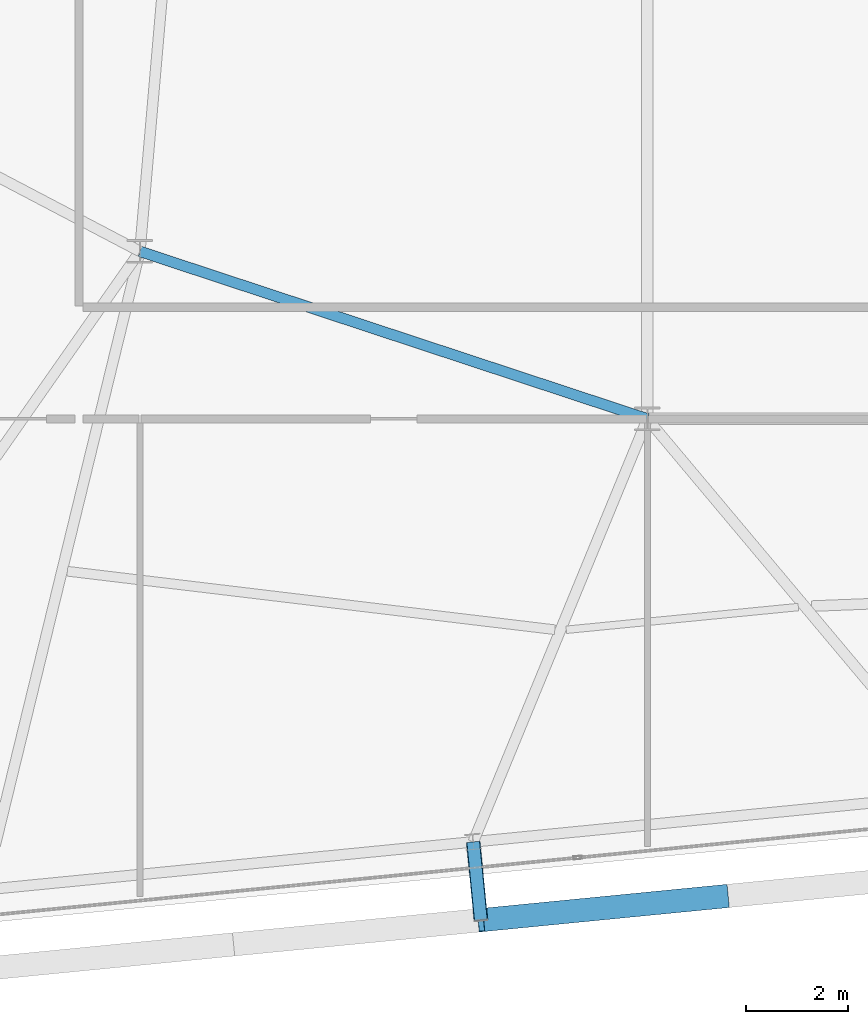
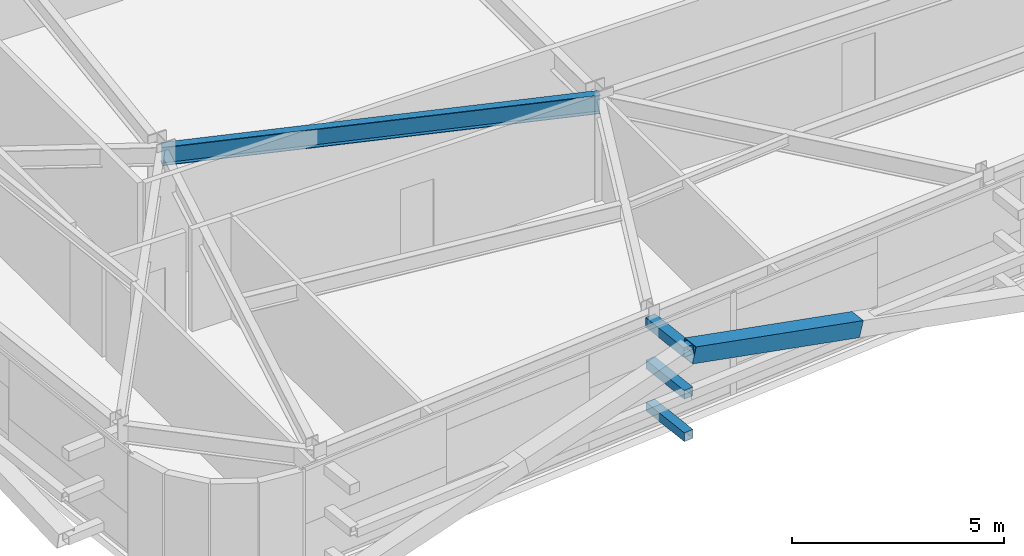
# One storey, part 8 of 47: 4 members, 1 beam.
"""IFC4 building model written with IfcOpenShell, lengths in metres."""

from ifc_helpers import new_model, si_unit, direction, frame, origin, origin_2d, place, context, subcontext, project, spatial, hollow_rectangle, i_section, extrude, source, transform, mapped, material, material_profile, profile_set, type_object, element, save


model = new_model("IFC4")

# Units and contexts
model_context = context("Model", 3, precision=1e-05, world=origin(), true_north=direction((0.0, 1.0)))
body_context = subcontext(model_context, "Body", "Model", "MODEL_VIEW")
ifc_project = project(units=[si_unit("LENGTHUNIT", "METRE"), si_unit("AREAUNIT", "SQUARE_METRE"), si_unit("VOLUMEUNIT", "CUBIC_METRE"), si_unit("PLANEANGLEUNIT", "RADIAN"), si_unit("MASSUNIT", "GRAM", prefix="KILO")], contexts=[model_context])

# Site, building, storey
site_placement = place(None, origin())
site = spatial("IfcSite", under=ifc_project, at=site_placement, CompositionType="ELEMENT")
building_placement = place(site_placement, origin())
building = spatial("IfcBuilding", under=site, at=building_placement, Name="Taldren Reach Tower", CompositionType="ELEMENT")
storey_placement = place(building_placement, frame((0.0, 0.0, 106.050048828125)))
storey = spatial("IfcBuildingStorey", under=building, at=storey_placement, Name="L32", CompositionType="ELEMENT", Elevation=106.050048828125)

# Beam
ifc_material_1 = material(Name="Steel Gr 350 (350PLUS)", Category="steel")
ifc_material_profile_1 = material_profile(ifc_material_1, i_section(OverallWidth=0.208984375, OverallDepth=0.532958984375, WebThickness=0.01025390625, FlangeThickness=0.015625, at=origin_2d()), Name="530UB92.4")
ifc_profile_set_1 = profile_set([ifc_material_profile_1], Name="Steel Gr 350 (350PLUS)")
beam_type = type_object("IfcBeamType", Name="BM-UB530A", PredefinedType="BEAM", material=ifc_profile_set_1)
shared_shape_1 = source(origin(), body_context, "Body", "SweptSolid", [
    extrude(i_section(OverallWidth=0.208984375, OverallDepth=0.532958984375, WebThickness=0.01025390625, FlangeThickness=0.015625, at=origin_2d()), origin(), (0.0, 0.0, 1.0), 10.530517578125),
])
beam_placement = place(storey_placement, frame((18.0, 12.5, 2.663330078125), z_axis=(0.949627269203, -0.313381635689, 0.0), x_axis=(0.313381635689, 0.949627269203, 0.0)))
element("IfcBeam", 1, at=beam_placement, inside=storey, type_object=beam_type, Name="Core-spine girder L32-SP10", PredefinedType="BEAM", context=body_context, shape_type="MappedRepresentation", body=[
    mapped(shared_shape_1, transform((0.0, 0.0, 0.0), scale=1.0)),
])

# Members
ifc_material_2 = material(Name="Steel Gr 450 (C450L0)", Category="steel")
ifc_material_profile_2 = material_profile(ifc_material_2, hollow_rectangle(XDim=0.27490234375, YDim=0.27490234375, WallThickness=0.00927734375, at=origin_2d()), Name="275x275x9.3SHS")
ifc_profile_set_2 = profile_set([ifc_material_profile_2], Name="Steel Gr 450 (C450L0)")
member_type_1 = type_object("IfcMemberType", Name="MB-TIE273", PredefinedType="STRUT", material=ifc_profile_set_2)
shared_shape_2 = source(origin(), body_context, "Body", "SweptSolid", [
    extrude(hollow_rectangle(XDim=0.27490234375, YDim=0.27490234375, WallThickness=0.00927734375, at=origin_2d()), origin(), (0.0, 0.0, 1.0), 1.550048828125),
])
member_1_placement = place(storey_placement, frame((24.56787109375, 0.86474609375, 2.64990234375), z_axis=(0.097647892962, -0.9952210252, 0.0), x_axis=(0.9952210252, 0.097647892962, 0.0)))
element("IfcMember", 2, at=member_1_placement, inside=storey, type_object=member_type_1, Name="Exoskeleton diaphragm tie strut B2-S2 L32", PredefinedType="STRUT", context=body_context, shape_type="MappedRepresentation", body=[
    mapped(shared_shape_2, transform((0.0, 0.0, 0.0), scale=1.0)),
])
ifc_material_profile_3 = material_profile(ifc_material_2, hollow_rectangle(XDim=0.4599609375, YDim=0.4599609375, WallThickness=0.01611328125, at=origin_2d()), Name="460x460x16.0SHS")
ifc_profile_set_3 = profile_set([ifc_material_profile_3], Name="Steel Gr 450 (C450L0)")
member_type_2 = type_object("IfcMemberType", Name="MB-EXO457", PredefinedType="BRACE", material=ifc_profile_set_3)
shared_shape_3 = source(origin(), body_context, "Body", "SweptSolid", [
    extrude(hollow_rectangle(XDim=0.4599609375, YDim=0.4599609375, WallThickness=0.01611328125, at=origin_2d()), origin(), (0.0, 0.0, 1.0), 4.990234375),
])
member_2_placement = place(storey_placement, frame((29.5361328125, -0.20556640625, 1.43505859375), z_axis=(-0.965282554799, -0.094669120301, 0.243448859234), x_axis=(0.097605711627, -0.995225162995, 0.0)))
element("IfcMember", 3, at=member_2_placement, inside=storey, type_object=member_type_2, Name="Exoskeleton Diagrid Brace B2-S2 L32", PredefinedType="BRACE", context=body_context, shape_type="MappedRepresentation", body=[
    mapped(shared_shape_3, transform((0.0, 0.0, 0.0), scale=1.0)),
])
ifc_material_3 = material(Name="Steel Gr 350 (C350L0)", Category="steel")
ifc_material_profile_4 = material_profile(ifc_material_3, hollow_rectangle(XDim=0.25, YDim=0.25, WallThickness=0.010009765625, at=origin_2d()), Name="250x250x10.0SHS")
ifc_profile_set_4 = profile_set([ifc_material_profile_4], Name="Steel Gr 350 (C350L0)")
member_type_3 = type_object("IfcMemberType", Name="MB-POST250", PredefinedType="POST", material=ifc_profile_set_4)
shared_shape_4 = source(origin(), body_context, "Body", "SweptSolid", [
    extrude(hollow_rectangle(XDim=0.25, YDim=0.25, WallThickness=0.010009765625, at=origin_2d()), origin(), (0.0, 0.0, 1.0), 1.550048828125),
])
for number, where, z_axis, x_axis, name in (
    (4, (24.56787109375, 0.86474609375, 0.219970703125), (0.097647892962, -0.9952210252, 0.0), (0.9952210252, 0.097647892962, 0.0), "Exoskeleton base diaphragm tie strut B2-S2 L32"),
    (5, (24.56787109375, 0.86474609375, 1.43505859375), (0.097647892962, -0.9952210252, 0.0), (0.9952210252, 0.097647892962, 0.0), "Exoskeleton mid-tier diaphragm tie B2-S2 L32"),
):
    element("IfcMember", number, at=place(storey_placement, frame(where, z_axis=z_axis, x_axis=x_axis)), inside=storey, type_object=member_type_3, Name=name, PredefinedType="POST", context=body_context, shape_type="MappedRepresentation", body=[
        mapped(shared_shape_4, transform((0.0, 0.0, 0.0), scale=1.0)),
    ])

save(model, "model.ifc")
